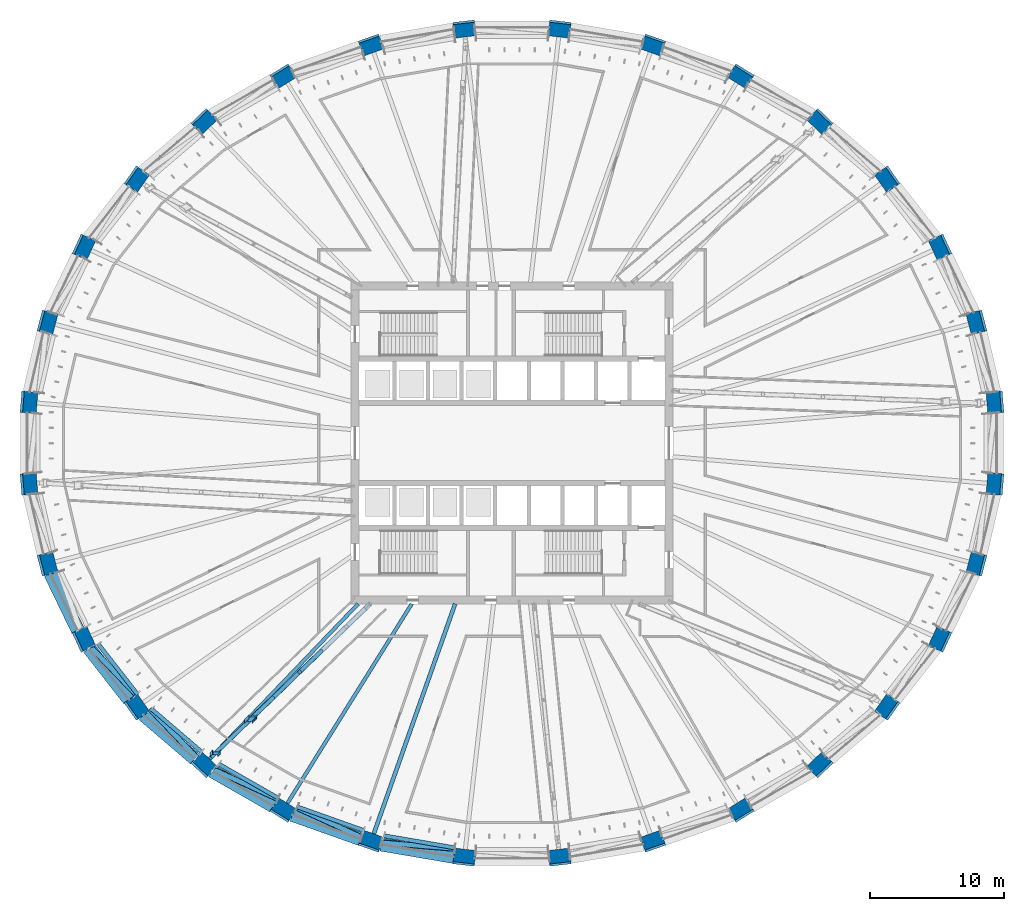
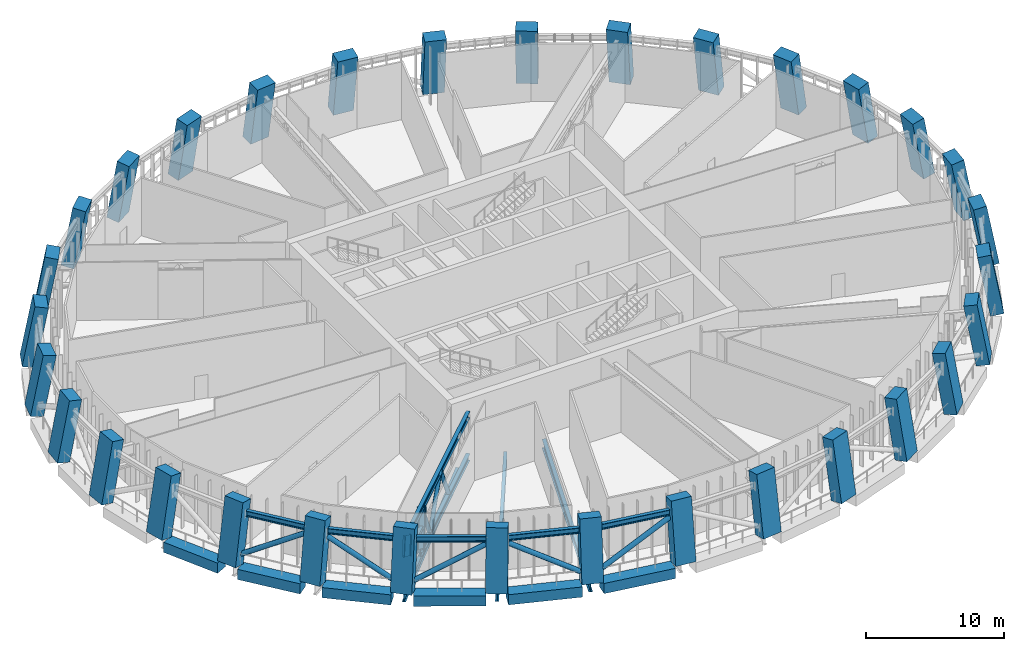
# One storey, part 1 of 22: 32 columns, 18 members, 9 beams.
"""IFC4 building model written with IfcOpenShell, lengths in metres."""

from ifc_helpers import new_model, si_unit, direction, frame, origin, origin_2d, place, context, subcontext, project, spatial, rectangle, hollow_circle, i_section, extrude, material, material_profile, profile_set, type_object, element, save


model = new_model("IFC4")

# Units and contexts
model_context = context("Model", 3, precision=1e-05, world=origin(), true_north=direction((0.0, 1.0)))
body_context = subcontext(model_context, "Body", "Model", "MODEL_VIEW")
ifc_project = project(units=[si_unit("LENGTHUNIT", "METRE"), si_unit("AREAUNIT", "SQUARE_METRE"), si_unit("VOLUMEUNIT", "CUBIC_METRE"), si_unit("PLANEANGLEUNIT", "RADIAN"), si_unit("MASSUNIT", "GRAM", prefix="KILO")], contexts=[model_context])

# Site, building, storey
site_placement = place(None, origin())
site = spatial("IfcSite", under=ifc_project, at=site_placement, CompositionType="ELEMENT")
building_placement = place(site_placement, origin())
building = spatial("IfcBuilding", under=site, at=building_placement, Name="Halqa Exchange Tower", CompositionType="ELEMENT")
storey_placement = place(building_placement, frame((0.0, 0.0, 99.10009765625)))
storey = spatial("IfcBuildingStorey", under=building, at=storey_placement, Name="L22", CompositionType="ELEMENT", Elevation=99.10009765625)

# Columns
ifc_material_1 = material(Name="Concrete C70/85", Category="concrete")
ifc_material_profile_1 = material_profile(ifc_material_1, rectangle(XDim=1.60009765625, YDim=1.0, at=origin_2d()), Name="1600 x 1000")
ifc_profile_set_1 = profile_set([ifc_material_profile_1], Name="Concrete C70/85")
column_type = type_object("IfcColumnType", Name="RC ring column 1600 x 1000 C70/85", PredefinedType="COLUMN", material=ifc_profile_set_1)
column_1_placement = place(storey_placement, frame((36.09814453125, 3.047607421875, 0.090576171875), z_axis=(-0.181244204702, -0.015318355372, 0.983318812111), x_axis=(0.08421750827, -0.99644739515, 0.0)))
element("IfcColumn", 1, at=column_1_placement, inside=storey, type_object=column_type, Name="Ring column 1", PredefinedType="COLUMN", context=body_context, shape_type="SweptSolid", body=[
    extrude(rectangle(XDim=1.60009765625, YDim=1.0, at=origin_2d()), origin(), (0.0, 0.0, 1.0), 5.307373046875),
])
column_2_placement = place(storey_placement, frame((34.7109375, 9.025390625, 0.089599609375), z_axis=(-0.174299234712, -0.045357362213, 0.983647541791), x_axis=(0.251839594723, -0.967768990271, 0.0)))
element("IfcColumn", 2, at=column_2_placement, inside=storey, type_object=column_type, Name="Ring column 2", PredefinedType="COLUMN", context=body_context, shape_type="SweptSolid", body=[
    extrude(rectangle(XDim=1.60009765625, YDim=1.0, at=origin_2d()), origin(), (0.0, 0.0, 1.0), 5.30712890625),
])
column_3_placement = place(storey_placement, frame((31.989990234375, 14.65625, 0.087890625), z_axis=(-0.160721780276, -0.073644982891, 0.984248406572), x_axis=(0.416565116305, -0.909105881555, 0.0)))
element("IfcColumn", 3, at=column_3_placement, inside=storey, type_object=column_type, Name="Ring column 3", PredefinedType="COLUMN", context=body_context, shape_type="SweptSolid", body=[
    extrude(rectangle(XDim=1.60009765625, YDim=1.0, at=origin_2d()), origin(), (0.0, 0.0, 1.0), 5.307373046875),
])
column_4_placement = place(storey_placement, frame((28.039794921875, 19.724365234375, 0.085693359375), z_axis=(-0.140981797412, -0.099170230088, 0.985032688931), x_axis=(0.575341361803, -0.817913392358, 0.0)))
element("IfcColumn", 4, at=column_4_placement, inside=storey, type_object=column_type, Name="Ring column 4", PredefinedType="COLUMN", context=body_context, shape_type="SweptSolid", body=[
    extrude(rectangle(XDim=1.60009765625, YDim=1.0, at=origin_2d()), origin(), (0.0, 0.0, 1.0), 5.3076171875),
])
column_5_placement = place(storey_placement, frame((23.011962890625, 24.034423828125, 0.083251953125), z_axis=(-0.115812481815, -0.12096379157, 0.985877898213), x_axis=(0.722319686129, -0.691559304059, 0.0)))
element("IfcColumn", 5, at=column_5_placement, inside=storey, type_object=column_type, Name="Ring column 5", PredefinedType="COLUMN", context=body_context, shape_type="SweptSolid", body=[
    extrude(rectangle(XDim=1.60009765625, YDim=1.0, at=origin_2d()), origin(), (0.0, 0.0, 1.0), 5.30810546875),
])
column_6_placement = place(storey_placement, frame((17.099609375, 27.4208984375, 0.0810546875), z_axis=(-0.08609317292, -0.138107798226, 0.986668232815), x_axis=(0.848616882571, -0.529007926798, 0.0)))
element("IfcColumn", 6, at=column_6_placement, inside=storey, type_object=column_type, Name="Ring column 6", PredefinedType="COLUMN", context=body_context, shape_type="SweptSolid", body=[
    extrude(rectangle(XDim=1.60009765625, YDim=1.0, at=origin_2d()), origin(), (0.0, 0.0, 1.0), 5.30859375),
])
column_7_placement = place(storey_placement, frame((10.530029296875, 29.75390625, 0.0791015625), z_axis=(-0.053064720362, -0.149997502446, 0.987261305184), x_axis=(0.942744642547, -0.333515425352, 0.0)))
element("IfcColumn", 7, at=column_7_placement, inside=storey, type_object=column_type, Name="Ring column 7", PredefinedType="COLUMN", context=body_context, shape_type="SweptSolid", body=[
    extrude(rectangle(XDim=1.60009765625, YDim=1.0, at=origin_2d()), origin(), (0.0, 0.0, 1.0), 5.309326171875),
])
for number, where, z_axis, x_axis, name in (
    (8, (3.5556640625, 30.943115234375, 0.078125), (-0.017932806139, -0.15601541341, 0.98759182117), (0.993458851833, -0.114190672624, 0.0), "Ring column 8"),
    (9, (-3.5556640625, 30.943115234375, 0.078125), (0.017932806139, -0.15601541341, 0.98759182117), (0.993458851833, 0.114190672624, 0.0), "Ring column 9"),
):
    element("IfcColumn", number, at=place(storey_placement, frame(where, z_axis=z_axis, x_axis=x_axis)), inside=storey, type_object=column_type, Name=name, PredefinedType="COLUMN", context=body_context, shape_type="SweptSolid", body=[
        extrude(rectangle(XDim=1.60009765625, YDim=1.0, at=origin_2d()), origin(), (0.0, 0.0, 1.0), 5.3095703125),
    ])
column_8_placement = place(storey_placement, frame((-10.530029296875, 29.75390625, 0.0791015625), z_axis=(0.053064720362, -0.149997502446, 0.987261305184), x_axis=(0.942744642547, 0.333515425352, 0.0)))
element("IfcColumn", 10, at=column_8_placement, inside=storey, type_object=column_type, Name="Ring column 10", PredefinedType="COLUMN", context=body_context, shape_type="SweptSolid", body=[
    extrude(rectangle(XDim=1.60009765625, YDim=1.0, at=origin_2d()), origin(), (0.0, 0.0, 1.0), 5.309326171875),
])
column_9_placement = place(storey_placement, frame((-17.099609375, 27.4208984375, 0.0810546875), z_axis=(0.08609317292, -0.138107798226, 0.986668232815), x_axis=(0.848616882571, 0.529007926798, 0.0)))
element("IfcColumn", 11, at=column_9_placement, inside=storey, type_object=column_type, Name="Ring column 11", PredefinedType="COLUMN", context=body_context, shape_type="SweptSolid", body=[
    extrude(rectangle(XDim=1.60009765625, YDim=1.0, at=origin_2d()), origin(), (0.0, 0.0, 1.0), 5.30859375),
])
column_10_placement = place(storey_placement, frame((-23.011962890625, 24.034423828125, 0.083251953125), z_axis=(0.115812481815, -0.12096379157, 0.985877898213), x_axis=(0.722319686129, 0.691559304059, 0.0)))
element("IfcColumn", 12, at=column_10_placement, inside=storey, type_object=column_type, Name="Ring column 12", PredefinedType="COLUMN", context=body_context, shape_type="SweptSolid", body=[
    extrude(rectangle(XDim=1.60009765625, YDim=1.0, at=origin_2d()), origin(), (0.0, 0.0, 1.0), 5.30810546875),
])
column_11_placement = place(storey_placement, frame((-28.039794921875, 19.724365234375, 0.085693359375), z_axis=(0.140981797412, -0.099170230088, 0.985032688931), x_axis=(0.575341361803, 0.817913392358, 0.0)))
element("IfcColumn", 13, at=column_11_placement, inside=storey, type_object=column_type, Name="Ring column 13", PredefinedType="COLUMN", context=body_context, shape_type="SweptSolid", body=[
    extrude(rectangle(XDim=1.60009765625, YDim=1.0, at=origin_2d()), origin(), (0.0, 0.0, 1.0), 5.3076171875),
])
column_12_placement = place(storey_placement, frame((-31.989990234375, 14.65625, 0.087890625), z_axis=(0.160721780276, -0.073644982891, 0.984248406572), x_axis=(0.416565116305, 0.909105881555, 0.0)))
element("IfcColumn", 14, at=column_12_placement, inside=storey, type_object=column_type, Name="Ring column 14", PredefinedType="COLUMN", context=body_context, shape_type="SweptSolid", body=[
    extrude(rectangle(XDim=1.60009765625, YDim=1.0, at=origin_2d()), origin(), (0.0, 0.0, 1.0), 5.307373046875),
])
column_13_placement = place(storey_placement, frame((-34.7109375, 9.025390625, 0.089599609375), z_axis=(0.174299234712, -0.045357362213, 0.983647541791), x_axis=(0.251839594723, 0.967768990271, 0.0)))
element("IfcColumn", 15, at=column_13_placement, inside=storey, type_object=column_type, Name="Ring column 15", PredefinedType="COLUMN", context=body_context, shape_type="SweptSolid", body=[
    extrude(rectangle(XDim=1.60009765625, YDim=1.0, at=origin_2d()), origin(), (0.0, 0.0, 1.0), 5.30712890625),
])
for number, where, z_axis, x_axis, name in (
    (16, (-36.09814453125, 3.047607421875, 0.090576171875), (0.181244204702, -0.015318355372, 0.983318812111), (0.08421750827, 0.99644739515, 0.0), "Ring column 16"),
    (17, (-36.09814453125, -3.047607421875, 0.090576171875), (0.181244204702, 0.015318355372, 0.983318812111), (-0.08421750827, 0.99644739515, 0.0), "Ring column 17"),
):
    element("IfcColumn", number, at=place(storey_placement, frame(where, z_axis=z_axis, x_axis=x_axis)), inside=storey, type_object=column_type, Name=name, PredefinedType="COLUMN", context=body_context, shape_type="SweptSolid", body=[
        extrude(rectangle(XDim=1.60009765625, YDim=1.0, at=origin_2d()), origin(), (0.0, 0.0, 1.0), 5.307373046875),
    ])
column_14_placement = place(storey_placement, frame((-34.7109375, -9.025390625, 0.089599609375), z_axis=(0.174299234712, 0.045357362213, 0.983647541791), x_axis=(-0.251839594723, 0.967768990271, 0.0)))
element("IfcColumn", 18, at=column_14_placement, inside=storey, type_object=column_type, Name="Ring column 18", PredefinedType="COLUMN", context=body_context, shape_type="SweptSolid", body=[
    extrude(rectangle(XDim=1.60009765625, YDim=1.0, at=origin_2d()), origin(), (0.0, 0.0, 1.0), 5.30712890625),
])
column_15_placement = place(storey_placement, frame((-31.989990234375, -14.65625, 0.087890625), z_axis=(0.160721780276, 0.073644982891, 0.984248406572), x_axis=(-0.416565116305, 0.909105881555, 0.0)))
element("IfcColumn", 19, at=column_15_placement, inside=storey, type_object=column_type, Name="Ring column 19", PredefinedType="COLUMN", context=body_context, shape_type="SweptSolid", body=[
    extrude(rectangle(XDim=1.60009765625, YDim=1.0, at=origin_2d()), origin(), (0.0, 0.0, 1.0), 5.307373046875),
])
column_16_placement = place(storey_placement, frame((-28.039794921875, -19.724365234375, 0.085693359375), z_axis=(0.140981797412, 0.099170230088, 0.985032688931), x_axis=(-0.575341361803, 0.817913392358, 0.0)))
element("IfcColumn", 20, at=column_16_placement, inside=storey, type_object=column_type, Name="Ring column 20", PredefinedType="COLUMN", context=body_context, shape_type="SweptSolid", body=[
    extrude(rectangle(XDim=1.60009765625, YDim=1.0, at=origin_2d()), origin(), (0.0, 0.0, 1.0), 5.3076171875),
])
column_17_placement = place(storey_placement, frame((-23.011962890625, -24.034423828125, 0.083251953125), z_axis=(0.115812481815, 0.12096379157, 0.985877898213), x_axis=(-0.722319686129, 0.691559304059, 0.0)))
element("IfcColumn", 21, at=column_17_placement, inside=storey, type_object=column_type, Name="Ring column 21", PredefinedType="COLUMN", context=body_context, shape_type="SweptSolid", body=[
    extrude(rectangle(XDim=1.60009765625, YDim=1.0, at=origin_2d()), origin(), (0.0, 0.0, 1.0), 5.30810546875),
])
column_18_placement = place(storey_placement, frame((-17.099609375, -27.4208984375, 0.0810546875), z_axis=(0.08609317292, 0.138107798226, 0.986668232815), x_axis=(-0.848616882571, 0.529007926798, 0.0)))
element("IfcColumn", 22, at=column_18_placement, inside=storey, type_object=column_type, Name="Ring column 22", PredefinedType="COLUMN", context=body_context, shape_type="SweptSolid", body=[
    extrude(rectangle(XDim=1.60009765625, YDim=1.0, at=origin_2d()), origin(), (0.0, 0.0, 1.0), 5.30859375),
])
column_19_placement = place(storey_placement, frame((-10.530029296875, -29.75390625, 0.0791015625), z_axis=(0.053064720362, 0.149997502446, 0.987261305184), x_axis=(-0.942744642547, 0.333515425352, 0.0)))
element("IfcColumn", 23, at=column_19_placement, inside=storey, type_object=column_type, Name="Ring column 23", PredefinedType="COLUMN", context=body_context, shape_type="SweptSolid", body=[
    extrude(rectangle(XDim=1.60009765625, YDim=1.0, at=origin_2d()), origin(), (0.0, 0.0, 1.0), 5.309326171875),
])
for number, where, z_axis, x_axis, name in (
    (24, (-3.5556640625, -30.943115234375, 0.078125), (0.017932806139, 0.15601541341, 0.98759182117), (-0.993458851833, 0.114190672624, 0.0), "Ring column 24"),
    (25, (3.5556640625, -30.943115234375, 0.078125), (-0.017932806139, 0.15601541341, 0.98759182117), (-0.993458851833, -0.114190672624, 0.0), "Ring column 25"),
):
    element("IfcColumn", number, at=place(storey_placement, frame(where, z_axis=z_axis, x_axis=x_axis)), inside=storey, type_object=column_type, Name=name, PredefinedType="COLUMN", context=body_context, shape_type="SweptSolid", body=[
        extrude(rectangle(XDim=1.60009765625, YDim=1.0, at=origin_2d()), origin(), (0.0, 0.0, 1.0), 5.3095703125),
    ])
column_20_placement = place(storey_placement, frame((10.530029296875, -29.75390625, 0.0791015625), z_axis=(-0.053064720362, 0.149997502446, 0.987261305184), x_axis=(-0.942744642547, -0.333515425352, 0.0)))
element("IfcColumn", 26, at=column_20_placement, inside=storey, type_object=column_type, Name="Ring column 26", PredefinedType="COLUMN", context=body_context, shape_type="SweptSolid", body=[
    extrude(rectangle(XDim=1.60009765625, YDim=1.0, at=origin_2d()), origin(), (0.0, 0.0, 1.0), 5.309326171875),
])
column_21_placement = place(storey_placement, frame((17.099609375, -27.4208984375, 0.0810546875), z_axis=(-0.08609317292, 0.138107798226, 0.986668232815), x_axis=(-0.848616882571, -0.529007926798, 0.0)))
element("IfcColumn", 27, at=column_21_placement, inside=storey, type_object=column_type, Name="Ring column 27", PredefinedType="COLUMN", context=body_context, shape_type="SweptSolid", body=[
    extrude(rectangle(XDim=1.60009765625, YDim=1.0, at=origin_2d()), origin(), (0.0, 0.0, 1.0), 5.30859375),
])
column_22_placement = place(storey_placement, frame((23.011962890625, -24.034423828125, 0.083251953125), z_axis=(-0.115812481815, 0.12096379157, 0.985877898213), x_axis=(-0.722319686129, -0.691559304059, 0.0)))
element("IfcColumn", 28, at=column_22_placement, inside=storey, type_object=column_type, Name="Ring column 28", PredefinedType="COLUMN", context=body_context, shape_type="SweptSolid", body=[
    extrude(rectangle(XDim=1.60009765625, YDim=1.0, at=origin_2d()), origin(), (0.0, 0.0, 1.0), 5.30810546875),
])
column_23_placement = place(storey_placement, frame((28.039794921875, -19.724365234375, 0.085693359375), z_axis=(-0.140981797412, 0.099170230088, 0.985032688931), x_axis=(-0.575341361803, -0.817913392358, 0.0)))
element("IfcColumn", 29, at=column_23_placement, inside=storey, type_object=column_type, Name="Ring column 29", PredefinedType="COLUMN", context=body_context, shape_type="SweptSolid", body=[
    extrude(rectangle(XDim=1.60009765625, YDim=1.0, at=origin_2d()), origin(), (0.0, 0.0, 1.0), 5.3076171875),
])
column_24_placement = place(storey_placement, frame((31.989990234375, -14.65625, 0.087890625), z_axis=(-0.160721780276, 0.073644982891, 0.984248406572), x_axis=(-0.416565116305, -0.909105881555, 0.0)))
element("IfcColumn", 30, at=column_24_placement, inside=storey, type_object=column_type, Name="Ring column 30", PredefinedType="COLUMN", context=body_context, shape_type="SweptSolid", body=[
    extrude(rectangle(XDim=1.60009765625, YDim=1.0, at=origin_2d()), origin(), (0.0, 0.0, 1.0), 5.307373046875),
])
column_25_placement = place(storey_placement, frame((34.7109375, -9.025390625, 0.089599609375), z_axis=(-0.174299234712, 0.045357362213, 0.983647541791), x_axis=(-0.251839594723, -0.967768990271, 0.0)))
element("IfcColumn", 31, at=column_25_placement, inside=storey, type_object=column_type, Name="Ring column 31", PredefinedType="COLUMN", context=body_context, shape_type="SweptSolid", body=[
    extrude(rectangle(XDim=1.60009765625, YDim=1.0, at=origin_2d()), origin(), (0.0, 0.0, 1.0), 5.30712890625),
])
column_26_placement = place(storey_placement, frame((36.09814453125, -3.047607421875, 0.090576171875), z_axis=(-0.181244204702, 0.015318355372, 0.983318812111), x_axis=(-0.08421750827, -0.99644739515, 0.0)))
element("IfcColumn", 32, at=column_26_placement, inside=storey, type_object=column_type, Name="Ring column 32", PredefinedType="COLUMN", context=body_context, shape_type="SweptSolid", body=[
    extrude(rectangle(XDim=1.60009765625, YDim=1.0, at=origin_2d()), origin(), (0.0, 0.0, 1.0), 5.307373046875),
])

# Members
ifc_material_2 = material(Name="Steel S355", Category="steel")
ifc_material_profile_2 = material_profile(ifc_material_2, i_section(OverallWidth=0.300048828125, OverallDepth=0.5, WebThickness=0.014404296875, FlangeThickness=0.028076171875, FilletRadius=0.027099609375, at=origin_2d()), Name="HEB 500")
ifc_profile_set_2 = profile_set([ifc_material_profile_2], Name="Steel S355")
member_type_1 = type_object("IfcMemberType", Name="Belt truss chord HEB 500", PredefinedType="CHORD", material=ifc_profile_set_2)
member_1_placement = place(storey_placement, frame((-30.83349609375, -14.956787109375, 4.25), z_axis=(0.614839492792, -0.788652266911, 0.0), x_axis=(0.788652266911, 0.614839492792, 0.0)))
element("IfcMember", 33, at=member_1_placement, inside=storey, type_object=member_type_1, Name="Belt chord 19", PredefinedType="CHORD", context=body_context, shape_type="SweptSolid", body=[
    extrude(i_section(OverallWidth=0.300048828125, OverallDepth=0.5, WebThickness=0.014404296875, FlangeThickness=0.028076171875, FilletRadius=0.027099609375, at=origin_2d()), origin(), (0.0, 0.0, 1.0), 4.736328125),
])
member_2_placement = place(storey_placement, frame((-26.8544921875, -19.810302734375, 4.25), z_axis=(0.759274080508, -0.650770981735, 0.0), x_axis=(0.650770981735, 0.759274080508, 0.0)))
element("IfcMember", 34, at=member_2_placement, inside=storey, type_object=member_type_1, Name="Belt chord 20", PredefinedType="CHORD", context=body_context, shape_type="SweptSolid", body=[
    extrude(i_section(OverallWidth=0.300048828125, OverallDepth=0.5, WebThickness=0.014404296875, FlangeThickness=0.028076171875, FilletRadius=0.027099609375, at=origin_2d()), origin(), (0.0, 0.0, 1.0), 4.929931640625),
])
member_3_placement = place(storey_placement, frame((-21.85009765625, -23.908447265625, 4.25), z_axis=(0.867784939112, -0.496939935455, 0.0), x_axis=(0.496939935455, 0.867784939112, 0.0)))
element("IfcMember", 35, at=member_3_placement, inside=storey, type_object=member_type_1, Name="Belt chord 21", PredefinedType="CHORD", context=body_context, shape_type="SweptSolid", body=[
    extrude(i_section(OverallWidth=0.300048828125, OverallDepth=0.5, WebThickness=0.014404296875, FlangeThickness=0.028076171875, FilletRadius=0.027099609375, at=origin_2d()), origin(), (0.0, 0.0, 1.0), 5.119140625),
])
member_4_placement = place(storey_placement, frame((-16.00439453125, -27.096923828125, 4.25), z_axis=(0.942353328506, -0.334619491741, 0.0), x_axis=(0.334619491741, 0.942353328506, 0.0)))
element("IfcMember", 36, at=member_4_placement, inside=storey, type_object=member_type_1, Name="Belt chord 22", PredefinedType="CHORD", context=body_context, shape_type="SweptSolid", body=[
    extrude(i_section(OverallWidth=0.300048828125, OverallDepth=0.5, WebThickness=0.014404296875, FlangeThickness=0.028076171875, FilletRadius=0.027099609375, at=origin_2d()), origin(), (0.0, 0.0, 1.0), 5.271484375),
])
member_5_placement = place(storey_placement, frame((-9.54150390625, -29.25048828125, 4.25), z_axis=(0.985771880532, -0.168088665744, 0.0), x_axis=(0.168088665744, 0.985771880532, 0.0)))
element("IfcMember", 37, at=member_5_placement, inside=storey, type_object=member_type_1, Name="Belt chord 23", PredefinedType="CHORD", context=body_context, shape_type="SweptSolid", body=[
    extrude(i_section(OverallWidth=0.300048828125, OverallDepth=0.5, WebThickness=0.014404296875, FlangeThickness=0.028076171875, FilletRadius=0.027099609375, at=origin_2d()), origin(), (0.0, 0.0, 1.0), 5.3740234375),
])
ifc_material_profile_3 = material_profile(ifc_material_2, hollow_circle(Radius=0.203125, WallThickness=0.02490234375, at=origin_2d()), Name="CHS 406.4x25")
ifc_profile_set_3 = profile_set([ifc_material_profile_3], Name="Steel S355")
member_type_2 = type_object("IfcMemberType", Name="Belt truss diagonal CHS 406.4x25", PredefinedType="BRACE", material=ifc_profile_set_3)
member_6_placement = place(storey_placement, frame((-31.377197265625, -15.195556640625, 0.956787109375), z_axis=(0.598428761565, -0.625202270969, 0.501004129431), x_axis=(0.72240563928, 0.691469516564, 0.0)))
element("IfcMember", 38, at=member_6_placement, inside=storey, type_object=member_type_2, Name="Belt diagonal 19", PredefinedType="BRACE", context=body_context, shape_type="SweptSolid", body=[
    extrude(hollow_circle(Radius=0.203125, WallThickness=0.02490234375, at=origin_2d()), origin(), (0.0, 0.0, 1.0), 5.680908203125),
])
member_7_placement = place(storey_placement, frame((-26.909912109375, -19.862548828125, 3.802978515625), z_axis=(0.598645595997, -0.625017270264, -0.500975909865), x_axis=(0.722178244164, 0.691707007089, 0.0)))
element("IfcMember", 39, at=member_7_placement, inside=storey, type_object=member_type_2, Name="Belt diagonal 20", PredefinedType="BRACE", context=body_context, shape_type="SweptSolid", body=[
    extrude(hollow_circle(Radius=0.203125, WallThickness=0.02490234375, at=origin_2d()), origin(), (0.0, 0.0, 1.0), 5.684326171875),
])
member_8_placement = place(storey_placement, frame((-22.249755859375, -24.310302734375, 0.929443359375), z_axis=(0.79741158459, -0.36543142629, 0.480202704534), x_axis=(0.416608655388, 0.909085930073, 0.0)))
element("IfcMember", 40, at=member_8_placement, inside=storey, type_object=member_type_2, Name="Belt diagonal 21", PredefinedType="BRACE", context=body_context, shape_type="SweptSolid", body=[
    extrude(hollow_circle(Radius=0.203125, WallThickness=0.02490234375, at=origin_2d()), origin(), (0.0, 0.0, 1.0), 6.034912109375),
])
member_9_placement = place(storey_placement, frame((-16.033935546875, -27.158935546875, 3.827392578125), z_axis=(0.797519041409, -0.365229584336, -0.480177810103), x_axis=(0.416372077243, 0.909194309976, 0.0)))
element("IfcMember", 41, at=member_9_placement, inside=storey, type_object=member_type_2, Name="Belt diagonal 22", PredefinedType="BRACE", context=body_context, shape_type="SweptSolid", body=[
    extrude(hollow_circle(Radius=0.203125, WallThickness=0.02490234375, at=origin_2d()), origin(), (0.0, 0.0, 1.0), 6.0361328125),
])
member_10_placement = place(storey_placement, frame((-9.726318359375, -29.756103515625, 0.916748046875), z_axis=(0.879818208498, -0.074354148576, 0.469458603696), x_axis=(0.084210624659, 0.996447976913, 0.0)))
element("IfcMember", 42, at=member_10_placement, inside=storey, type_object=member_type_2, Name="Belt diagonal 23", PredefinedType="BRACE", context=body_context, shape_type="SweptSolid", body=[
    extrude(hollow_circle(Radius=0.203125, WallThickness=0.02490234375, at=origin_2d()), origin(), (0.0, 0.0, 1.0), 6.2255859375),
])

# Beams
ifc_material_profile_4 = material_profile(ifc_material_2, i_section(OverallWidth=0.300048828125, OverallDepth=0.7900390625, WebThickness=0.014892578125, FlangeThickness=0.028076171875, FilletRadius=0.030029296875, at=origin_2d()), Name="HEA 800")
ifc_profile_set_4 = profile_set([ifc_material_profile_4], Name="Steel S355")
beam_type_1 = type_object("IfcBeamType", Name="Floor beam HEA 800", PredefinedType="BEAM", material=ifc_profile_set_4)
beam_1_placement = place(storey_placement, frame((-4.23681640625, -11.971923828125, -0.7451171875), z_axis=(-0.333628265903, -0.942704715269, 0.0), x_axis=(0.942704715269, -0.333628265903, 0.0)))
element("IfcBeam", 43, at=beam_1_placement, inside=storey, type_object=beam_type_1, Name="Radial beam 23", PredefinedType="BEAM", context=body_context, shape_type="SweptSolid", body=[
    extrude(i_section(OverallWidth=0.300048828125, OverallDepth=0.7900390625, WebThickness=0.014892578125, FlangeThickness=0.028076171875, FilletRadius=0.030029296875, at=origin_2d()), origin(), (0.0, 0.0, 1.0), 18.50146484375),
])
ifc_material_profile_5 = material_profile(ifc_material_2, i_section(OverallWidth=0.26806640625, OverallDepth=0.77001953125, WebThickness=0.015625, FlangeThickness=0.025390625, FilletRadius=0.01708984375, at=origin_2d()), Name="IPE 750x196")
ifc_profile_set_5 = profile_set([ifc_material_profile_5], Name="Steel S355")
beam_type_2 = type_object("IfcBeamType", Name="Floor beam IPE 750x196", PredefinedType="BEAM", material=ifc_profile_set_5)
beam_2_placement = place(storey_placement, frame((-11.46240234375, -11.9716796875, -0.735107421875), z_axis=(-0.691571333254, -0.722308169011, 0.0), x_axis=(0.722308169011, -0.691571333254, 0.0)))
element("IfcBeam", 44, at=beam_2_placement, inside=storey, type_object=beam_type_2, Name="Radial beam 21", PredefinedType="BEAM", context=body_context, shape_type="SweptSolid", body=[
    extrude(i_section(OverallWidth=0.26806640625, OverallDepth=0.77001953125, WebThickness=0.015625, FlangeThickness=0.025390625, FilletRadius=0.01708984375, at=origin_2d()), origin(), (0.0, 0.0, 1.0), 16.338623046875),
])
beam_3_placement = place(storey_placement, frame((-7.46533203125, -11.971435546875, -0.735107421875), z_axis=(-0.529141506994, -0.848533597199, 0.0), x_axis=(0.848533597199, -0.529141506994, 0.0)))
element("IfcBeam", 45, at=beam_3_placement, inside=storey, type_object=beam_type_2, Name="Radial beam 22", PredefinedType="BEAM", context=body_context, shape_type="SweptSolid", body=[
    extrude(i_section(OverallWidth=0.26806640625, OverallDepth=0.77001953125, WebThickness=0.015625, FlangeThickness=0.025390625, FilletRadius=0.01708984375, at=origin_2d()), origin(), (0.0, 0.0, 1.0), 17.8447265625),
])

# Members
ifc_material_profile_6 = material_profile(ifc_material_2, i_section(OverallWidth=0.300048828125, OverallDepth=0.60009765625, WebThickness=0.015380859375, FlangeThickness=0.030029296875, FilletRadius=0.027099609375, at=origin_2d()), Name="HEB 600")
ifc_profile_set_6 = profile_set([ifc_material_profile_6], Name="Steel S355")
member_type_3 = type_object("IfcMemberType", Name="Outrigger chord HEB 600", PredefinedType="CHORD", material=ifc_profile_set_6)
member_11_placement = place(storey_placement, frame((-10.580810546875, -11.981201171875, 0.2998046875), z_axis=(-0.71873111083, -0.69528813475, 0.0), x_axis=(0.69528813475, -0.71873111083, 0.0)))
element("IfcMember", 46, at=member_11_placement, inside=storey, type_object=member_type_3, Name="Outrigger 6 chord", PredefinedType="CHORD", context=body_context, shape_type="SweptSolid", body=[
    extrude(i_section(OverallWidth=0.300048828125, OverallDepth=0.60009765625, WebThickness=0.015380859375, FlangeThickness=0.030029296875, FilletRadius=0.027099609375, at=origin_2d()), origin(), (0.0, 0.0, 1.0), 12.632568359375),
])
member_12_placement = place(storey_placement, frame((-10.580810546875, -11.981201171875, 4.046875), z_axis=(-0.719777711439, -0.694204614012, 0.0), x_axis=(0.694204614012, -0.719777711439, 0.0)))
element("IfcMember", 47, at=member_12_placement, inside=storey, type_object=member_type_3, Name="Outrigger 6 chord", PredefinedType="CHORD", context=body_context, shape_type="SweptSolid", body=[
    extrude(i_section(OverallWidth=0.300048828125, OverallDepth=0.60009765625, WebThickness=0.015380859375, FlangeThickness=0.030029296875, FilletRadius=0.027099609375, at=origin_2d()), origin(), (0.0, 0.0, 1.0), 16.16259765625),
])
ifc_material_profile_7 = material_profile(ifc_material_2, hollow_circle(Radius=0.161865234375, WallThickness=0.01611328125, at=origin_2d()), Name="CHS 323.9x16")
ifc_profile_set_7 = profile_set([ifc_material_profile_7], Name="Steel S355")
member_type_4 = type_object("IfcMemberType", Name="Outrigger diagonal CHS 323.9x16", PredefinedType="BRACE", material=ifc_profile_set_7)
member_13_placement = place(storey_placement, frame((-14.21630859375, -15.498291015625, 0.2998046875), z_axis=(-0.369272484695, -0.353706487615, 0.859377421548), x_axis=(0.691722210541, -0.722163681893, 0.0)))
element("IfcMember", 48, at=member_13_placement, inside=storey, type_object=member_type_4, Name="Outrigger 6 diagonal", PredefinedType="BRACE", context=body_context, shape_type="SweptSolid", body=[
    extrude(hollow_circle(Radius=0.161865234375, WallThickness=0.01611328125, at=origin_2d()), origin(), (0.0, 0.0, 1.0), 4.360107421875),
])
member_14_placement = place(storey_placement, frame((-15.826416015625, -17.04052734375, 4.046875), z_axis=(-0.428807438894, -0.418058554444, -0.800844070594), x_axis=(0.698075568816, -0.716024091928, 0.0)))
element("IfcMember", 49, at=member_14_placement, inside=storey, type_object=member_type_4, Name="Outrigger 6 diagonal", PredefinedType="BRACE", context=body_context, shape_type="SweptSolid", body=[
    extrude(hollow_circle(Radius=0.161865234375, WallThickness=0.01611328125, at=origin_2d()), origin(), (0.0, 0.0, 1.0), 4.678955078125),
])
member_15_placement = place(storey_placement, frame((-17.832763671875, -18.99658203125, 0.2998046875), z_axis=(-0.346482078141, -0.329198036582, 0.878395595525), x_axis=(0.688793520547, -0.724957575346, 0.0)))
element("IfcMember", 50, at=member_15_placement, inside=storey, type_object=member_type_4, Name="Outrigger 6 diagonal", PredefinedType="BRACE", context=body_context, shape_type="SweptSolid", body=[
    extrude(hollow_circle(Radius=0.161865234375, WallThickness=0.01611328125, at=origin_2d()), origin(), (0.0, 0.0, 1.0), 4.265869140625),
])
ifc_material_profile_8 = material_profile(ifc_material_2, i_section(OverallWidth=0.300048828125, OverallDepth=0.300048828125, WebThickness=0.010986328125, FlangeThickness=0.01904296875, FilletRadius=0.027099609375, at=origin_2d()), Name="HEB 300")
ifc_profile_set_8 = profile_set([ifc_material_profile_8], Name="Steel S355")
member_type_5 = type_object("IfcMemberType", Name="Outrigger opening chord HEB 300", PredefinedType="CHORD", material=ifc_profile_set_8)
member_16_placement = place(storey_placement, frame((-19.460205078125, -20.55712890625, 2.349853515625), z_axis=(-0.719308218186, -0.694691073247, 0.0), x_axis=(0.694691073247, -0.719308218186, 0.0)))
element("IfcMember", 51, at=member_16_placement, inside=storey, type_object=member_type_5, Name="Outrigger 6 opening chord", PredefinedType="CHORD", context=body_context, shape_type="SweptSolid", body=[
    extrude(i_section(OverallWidth=0.300048828125, OverallDepth=0.300048828125, WebThickness=0.010986328125, FlangeThickness=0.01904296875, FilletRadius=0.027099609375, at=origin_2d()), origin(), (0.0, 0.0, 1.0), 4.10595703125),
])
ifc_material_profile_9 = material_profile(ifc_material_2, i_section(OverallWidth=0.300048828125, OverallDepth=0.60009765625, WebThickness=0.015380859375, FlangeThickness=0.030029296875, FilletRadius=0.027099609375, at=origin_2d()), Name="HEB 600")
ifc_profile_set_9 = profile_set([ifc_material_profile_9], Name="Steel S355")
member_type_6 = type_object("IfcMemberType", Name="Outrigger post HEB 600", PredefinedType="POST", material=ifc_profile_set_9)
member_17_placement = place(storey_placement, frame((-19.640869140625, -20.745849609375, 0.2998046875), z_axis=(0.087383151036, 0.091325734034, 0.991979735286), x_axis=(-0.009531967168, 0.995819916948, -0.090839609267)))
element("IfcMember", 52, at=member_17_placement, inside=storey, type_object=member_type_6, Name="Outrigger 6 post", PredefinedType="POST", context=body_context, shape_type="SweptSolid", body=[
    extrude(i_section(OverallWidth=0.300048828125, OverallDepth=0.60009765625, WebThickness=0.015380859375, FlangeThickness=0.030029296875, FilletRadius=0.027099609375, at=origin_2d()), origin(), (0.0, 0.0, 1.0), 3.77734375),
])
member_18_placement = place(storey_placement, frame((-22.19873046875, -23.20166015625, 2.349853515625), z_axis=(0.115876035197, 0.120981955965, 0.985868201535), x_axis=(-0.012067861586, 0.992652582048, -0.120396088271)))
element("IfcMember", 53, at=member_18_placement, inside=storey, type_object=member_type_6, Name="Outrigger 6 post", PredefinedType="POST", context=body_context, shape_type="SweptSolid", body=[
    extrude(i_section(OverallWidth=0.300048828125, OverallDepth=0.60009765625, WebThickness=0.015380859375, FlangeThickness=0.030029296875, FilletRadius=0.027099609375, at=origin_2d()), origin(), (0.0, 0.0, 1.0), 1.721435546875),
])

# Beams
ifc_material_3 = material(Name="Concrete C60/75", Category="concrete")
ifc_material_profile_10 = material_profile(ifc_material_3, rectangle(XDim=1.0, YDim=0.89990234375, at=origin_2d()), Name="1000 x 900")
ifc_profile_set_10 = profile_set([ifc_material_profile_10], Name="Concrete C60/75")
beam_type_3 = type_object("IfcBeamType", Name="RC spandrel beam 1000 x 900 C60/75", PredefinedType="SPANDREL", material=ifc_profile_set_10)
beam_4_placement = place(storey_placement, frame((-34.388671875, -9.7294921875, -0.4501953125), z_axis=(0.435149722828, -0.900358105824, 0.0), x_axis=(0.900358105824, 0.435149722828, 0.0)))
element("IfcBeam", 54, at=beam_4_placement, inside=storey, type_object=beam_type_3, Name="Spandrel 18", PredefinedType="SPANDREL", context=body_context, shape_type="SweptSolid", body=[
    extrude(rectangle(XDim=1.0, YDim=0.89990234375, at=origin_2d()), origin(), (0.0, 0.0, 1.0), 4.70263671875),
])
beam_5_placement = place(storey_placement, frame((-31.52783203125, -15.2744140625, -0.4501953125), z_axis=(0.614817026553, -0.788669781252, 0.0), x_axis=(0.788669781252, 0.614817026553, 0.0)))
element("IfcBeam", 55, at=beam_5_placement, inside=storey, type_object=beam_type_3, Name="Spandrel 19", PredefinedType="SPANDREL", context=body_context, shape_type="SweptSolid", body=[
    extrude(rectangle(XDim=1.0, YDim=0.89990234375, at=origin_2d()), origin(), (0.0, 0.0, 1.0), 4.877197265625),
])
beam_6_placement = place(storey_placement, frame((-27.4638671875, -20.2373046875, -0.4501953125), z_axis=(0.759287164201, -0.650755716286, 0.0), x_axis=(0.650755716286, 0.759287164201, 0.0)))
element("IfcBeam", 56, at=beam_6_placement, inside=storey, type_object=beam_type_3, Name="Spandrel 20", PredefinedType="SPANDREL", context=body_context, shape_type="SweptSolid", body=[
    extrude(rectangle(XDim=1.0, YDim=0.89990234375, at=origin_2d()), origin(), (0.0, 0.0, 1.0), 5.074951171875),
])
beam_7_placement = place(storey_placement, frame((-22.349609375, -24.4296875, -0.4501953125), z_axis=(0.867743454254, -0.497012371677, 0.0), x_axis=(0.497012371677, 0.867743454254, 0.0)))
element("IfcBeam", 57, at=beam_7_placement, inside=storey, type_object=beam_type_3, Name="Spandrel 21", PredefinedType="SPANDREL", context=body_context, shape_type="SweptSolid", body=[
    extrude(rectangle(XDim=1.0, YDim=0.89990234375, at=origin_2d()), origin(), (0.0, 0.0, 1.0), 5.266357421875),
])
beam_8_placement = place(storey_placement, frame((-16.376708984375, -27.691650390625, -0.4501953125), z_axis=(0.942369615116, -0.334573621951, 0.0), x_axis=(0.334573621951, 0.942369615116, 0.0)))
element("IfcBeam", 58, at=beam_8_placement, inside=storey, type_object=beam_type_3, Name="Spandrel 22", PredefinedType="SPANDREL", context=body_context, shape_type="SweptSolid", body=[
    extrude(rectangle(XDim=1.0, YDim=0.89990234375, at=origin_2d()), origin(), (0.0, 0.0, 1.0), 5.423828125),
])
beam_9_placement = place(storey_placement, frame((-9.77001953125, -29.896240234375, -0.4501953125), z_axis=(0.985777143165, -0.168057799621, 0.0), x_axis=(0.168057799621, 0.985777143165, 0.0)))
element("IfcBeam", 59, at=beam_9_placement, inside=storey, type_object=beam_type_3, Name="Spandrel 23", PredefinedType="SPANDREL", context=body_context, shape_type="SweptSolid", body=[
    extrude(rectangle(XDim=1.0, YDim=0.89990234375, at=origin_2d()), origin(), (0.0, 0.0, 1.0), 5.527587890625),
])

save(model, "model.ifc")
